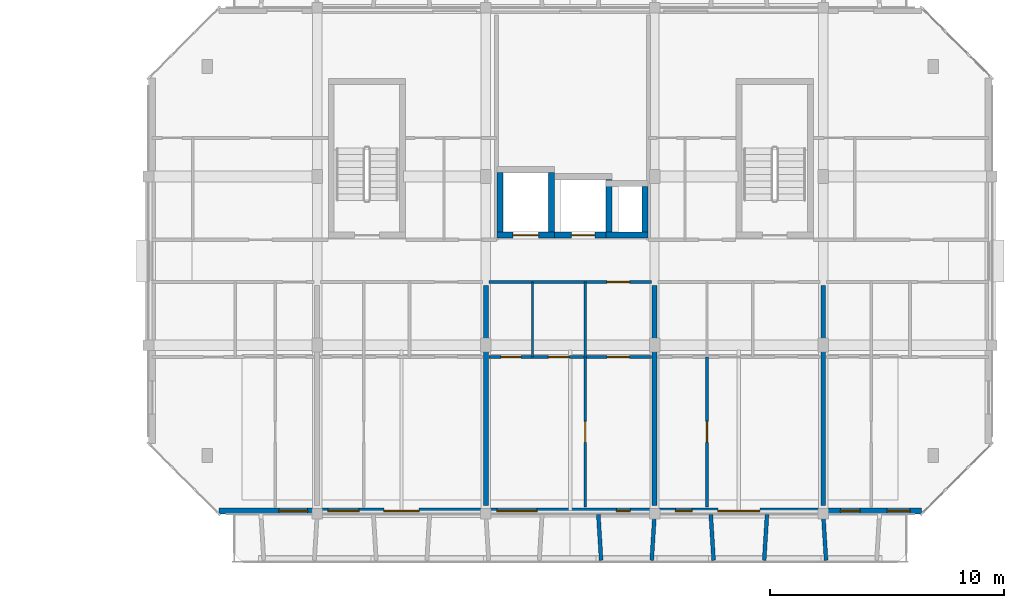
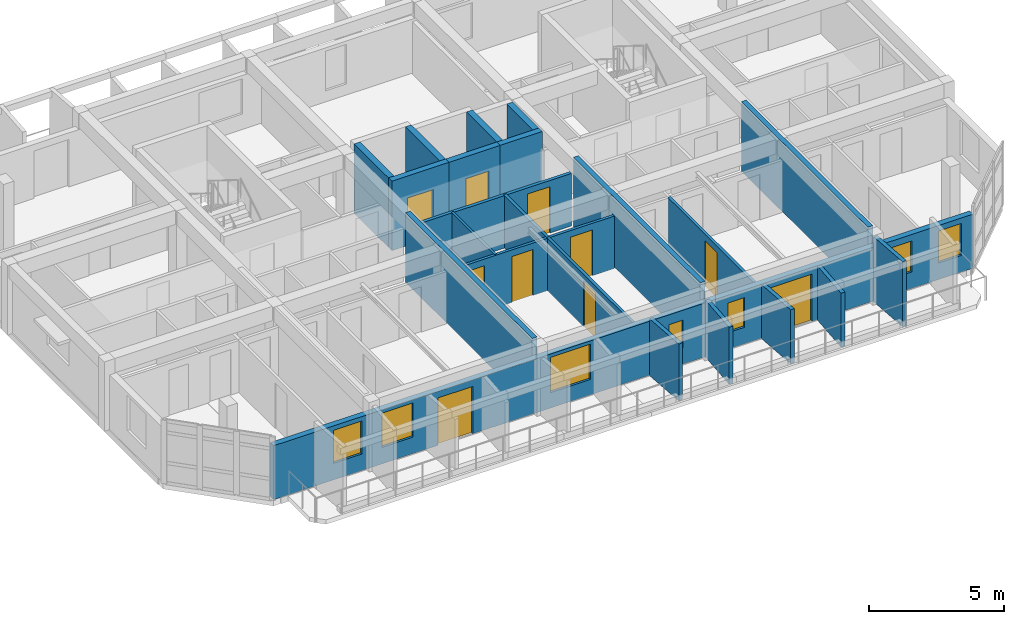
# One storey, part 16 of 30: 22 walls, 10 doors, 7 windows, 17 openings.
"""IFC4 building model written with IfcOpenShell, lengths in metres."""

from ifc_helpers import new_model, si_unit, direction, frame, frame_2d, origin, place, context, subcontext, project, spatial, rectangle, extrude, material, layer, layer_set, type_object, element, fill, save


model = new_model("IFC4")

# Units and contexts
model_context = context("Model", 3, precision=1e-05, world=origin(), true_north=direction((0.0, 1.0)))
body_context = subcontext(model_context, "Body", "Model", "MODEL_VIEW")
ifc_project = project(units=[si_unit("LENGTHUNIT", "METRE"), si_unit("AREAUNIT", "SQUARE_METRE"), si_unit("VOLUMEUNIT", "CUBIC_METRE"), si_unit("PLANEANGLEUNIT", "RADIAN"), si_unit("MASSUNIT", "GRAM", prefix="KILO")], contexts=[model_context])

# Site, building, storey
site_placement = place(None, origin())
site = spatial("IfcSite", under=ifc_project, at=site_placement, CompositionType="ELEMENT")
building_placement = place(site_placement, origin())
building = spatial("IfcBuilding", under=site, at=building_placement, Name="Ochrevale Crest", CompositionType="ELEMENT")
storey_placement = place(building_placement, frame((0.0, 0.0, 33.89990234375)))
storey = spatial("IfcBuildingStorey", under=building, at=storey_placement, Name="L10", CompositionType="ELEMENT", Elevation=33.89990234375)

# Wall, opening, door
ifc_material_1 = material(Name="Gypsum plasterboard", Category="gypsum")
ifc_layer_1 = layer(ifc_material_1, 0.139892578125)
ifc_layer_set_1 = layer_set([ifc_layer_1], Name="Gypsum plasterboard")
wall_type_1 = type_object("IfcWallType", Name="WL-COR-140", PredefinedType="PARTITIONING", material=ifc_layer_set_1)
wall_1_placement = place(storey_placement, frame((144.139892578125, 24.300048828125, 0.0), z_axis=(0.0, 0.0, 1.0), x_axis=(1.0, 0.0, 0.0)))
wall_1 = element("IfcWall", 1, at=wall_1_placement, inside=storey, type_object=wall_type_1, Name="Apartment C-L10-U3 corridor wall", PredefinedType="PARTITIONING", context=body_context, shape_type="SweptSolid", body=[
    extrude(rectangle(XDim=6.920166015625, YDim=0.139892578125, at=frame_2d((3.4599609375, 0.0))), origin(), (0.0, 0.0, 1.0), 2.380126953125),
])
opening_1_placement = place(wall_1_placement, frame((5.02001953125, 0.0, 0.0)))
opening_1 = element("IfcOpeningElement", 2, at=opening_1_placement, cuts=wall_1, Name="Opening FD01", PredefinedType="OPENING", context=body_context, shape_type="SweptSolid", body=[
    extrude(rectangle(XDim=0.97998046875, YDim=2.10009765625, at=frame_2d((0.489990234375, 1.050048828125))), frame((0.0, 0.080078125, 0.0), z_axis=(0.0, -1.0, 0.0), x_axis=(1.0, 0.0, 0.0)), (0.0, 0.0, 1.0), 0.159912109375),
])
ifc_material_2 = material(Name="Solid-core FSC hardwood", Category="wood")
door_type_1 = type_object("IfcDoorType", Name="DR-APT-950", OperationType="NOTDEFINED", PredefinedType="DOOR", material=ifc_material_2)
door_1_placement = place(opening_1_placement, origin())
door_1 = element("IfcDoor", 3, at=door_1_placement, inside=storey, type_object=door_type_1, Name="Apartment C-L10-U3 entrance door", OperationType="SINGLE_SWING_LEFT", OverallHeight=2.10009765625, OverallWidth=0.97998046875, PredefinedType="DOOR", context=body_context, shape_type="SweptSolid", body=[
    extrude(rectangle(XDim=0.97998046875, YDim=2.10009765625, at=frame_2d((0.489990234375, 1.050048828125))), frame((0.0, 0.02490234375, 0.0), z_axis=(0.0, -1.0, 0.0), x_axis=(1.0, 0.0, 0.0)), (0.0, 0.0, 1.0), 0.050048828125),
])
fill(opening_1, door_1)

ifc_material_3 = material(Name="Precast concrete C50/60", Category="concrete")
ifc_layer_2 = layer(ifc_material_3, 0.2548828125)
ifc_layer_set_2 = layer_set([ifc_layer_2], Name="Precast concrete C50/60")
wall_type_2 = type_object("IfcWallType", Name="WL-CORE-255", PredefinedType="SHEAR", material=ifc_layer_set_2)
wall_2_placement = place(storey_placement, frame((144.472412109375, 26.300048828125, 0.0), z_axis=(0.0, 0.0, 1.0), x_axis=(1.0, 0.0, 0.0)))
wall_2 = element("IfcWall", 4, at=wall_2_placement, inside=storey, type_object=wall_type_2, Name="Block C L10 Lift 1 precast shaft shear wall S", PredefinedType="SHEAR", context=body_context, shape_type="SweptSolid", body=[
    extrude(rectangle(XDim=2.455078125, YDim=0.2548828125, at=frame_2d((1.2275390625, 0.0))), origin(), (0.0, 0.0, 1.0), 3.150146484375),
])
opening_2_placement = place(wall_2_placement, frame((0.677490234375, 0.0, 0.0)))
opening_2 = element("IfcOpeningElement", 5, at=opening_2_placement, cuts=wall_2, Name="Opening LD01", PredefinedType="OPENING", context=body_context, shape_type="SweptSolid", body=[
    extrude(rectangle(XDim=1.10009765625, YDim=2.14990234375, at=frame_2d((0.550048828125, 1.074951171875))), frame((0.0, 0.137451171875, 0.0), z_axis=(0.0, -1.0, 0.0), x_axis=(1.0, 0.0, 0.0)), (0.0, 0.0, 1.0), 0.27490234375),
])
door_type_2 = type_object("IfcDoorType", Name="DR-LIFT-1100", OperationType="NOTDEFINED", PredefinedType="DOOR", material=ifc_material_2)
door_2_placement = place(opening_2_placement, origin())
door_2 = element("IfcDoor", 6, at=door_2_placement, inside=storey, type_object=door_type_2, Name="Lift LF-C1 L10 sliding landing door", OperationType="SLIDING_TO_LEFT", OverallHeight=2.14990234375, OverallWidth=1.10009765625, PredefinedType="DOOR", context=body_context, shape_type="SweptSolid", body=[
    extrude(rectangle(XDim=1.10009765625, YDim=2.14990234375, at=frame_2d((0.550048828125, 1.074951171875))), frame((0.0, 0.02490234375, 0.0), z_axis=(0.0, -1.0, 0.0), x_axis=(1.0, 0.0, 0.0)), (0.0, 0.0, 1.0), 0.050048828125),
])
fill(opening_2, door_2)

# Walls
for number, where, z_axis, x_axis, name in (
    (7, (144.60009765625, 26.427490234375, 0.0), (0.0, 0.0, 1.0), (0.0, 1.0, 0.0), "Block C L10 Lift 1 precast shaft shear wall W"),
    (8, (146.800048828125, 26.427490234375, 0.0), (0.0, 0.0, 1.0), (0.0, 1.0, 0.0), "Block C L10 Lift 1 precast shaft shear wall E"),
):
    element("IfcWall", number, at=place(storey_placement, frame(where, z_axis=z_axis, x_axis=x_axis)), inside=storey, type_object=wall_type_2, Name=name, PredefinedType="SHEAR", context=body_context, shape_type="SweptSolid", body=[
        extrude(rectangle(XDim=2.544921875, YDim=0.2548828125, at=frame_2d((1.2724609375, 0.0))), origin(), (0.0, 0.0, 1.0), 3.150146484375),
    ])

# Wall, opening, door
wall_3_placement = place(storey_placement, frame((146.922607421875, 26.300048828125, 0.0), z_axis=(0.0, 0.0, 1.0), x_axis=(1.0, 0.0, 0.0)))
wall_3 = element("IfcWall", 9, at=wall_3_placement, inside=storey, type_object=wall_type_2, Name="Block C L10 Lift 2 precast shaft shear wall S", PredefinedType="SHEAR", context=body_context, shape_type="SweptSolid", body=[
    extrude(rectangle(XDim=2.454833984375, YDim=0.2548828125, at=frame_2d((1.2275390625, 0.0))), origin(), (0.0, 0.0, 1.0), 3.150146484375),
])
opening_3_placement = place(wall_3_placement, frame((0.7275390625, 0.0, 0.0)))
opening_3 = element("IfcOpeningElement", 10, at=opening_3_placement, cuts=wall_3, Name="Opening LD02", PredefinedType="OPENING", context=body_context, shape_type="SweptSolid", body=[
    extrude(rectangle(XDim=1.0, YDim=2.14990234375, at=frame_2d((0.5, 1.074951171875))), frame((0.0, 0.137451171875, 0.0), z_axis=(0.0, -1.0, 0.0), x_axis=(1.0, 0.0, 0.0)), (0.0, 0.0, 1.0), 0.27490234375),
])
door_type_3 = type_object("IfcDoorType", Name="DR-LIFT-1000", OperationType="NOTDEFINED", PredefinedType="DOOR", material=ifc_material_2)
door_3_placement = place(opening_3_placement, origin())
door_3 = element("IfcDoor", 11, at=door_3_placement, inside=storey, type_object=door_type_3, Name="Lift LP-C2 L10 sliding landing door", OperationType="SLIDING_TO_RIGHT", OverallHeight=2.14990234375, OverallWidth=1.0, PredefinedType="DOOR", context=body_context, shape_type="SweptSolid", body=[
    extrude(rectangle(XDim=1.0, YDim=2.14990234375, at=frame_2d((0.5, 1.074951171875))), frame((0.0, 0.02490234375, 0.0), z_axis=(0.0, -1.0, 0.0), x_axis=(1.0, 0.0, 0.0)), (0.0, 0.0, 1.0), 0.050048828125),
])
fill(opening_3, door_3)

# Walls
wall_4_placement = place(storey_placement, frame((149.25, 26.427490234375, 0.0), z_axis=(0.0, 0.0, 1.0), x_axis=(0.0, 1.0, 0.0)))
element("IfcWall", 12, at=wall_4_placement, inside=storey, type_object=wall_type_2, Name="Block C L10 Lift 2 precast shaft shear wall E", PredefinedType="SHEAR", context=body_context, shape_type="SweptSolid", body=[
    extrude(rectangle(XDim=2.2451171875, YDim=0.2548828125, at=frame_2d((1.12255859375, 0.0))), origin(), (0.0, 0.0, 1.0), 3.150146484375),
])
wall_5_placement = place(storey_placement, frame((149.12255859375, 26.300048828125, 0.0), z_axis=(0.0, 0.0, 1.0), x_axis=(1.0, 0.0, 0.0)))
element("IfcWall", 13, at=wall_5_placement, inside=storey, type_object=wall_type_2, Name="Block C L10 services riser shaft core wall S", PredefinedType="SHEAR", context=body_context, shape_type="SweptSolid", body=[
    extrude(rectangle(XDim=1.804931640625, YDim=0.2548828125, at=frame_2d((0.90234375, 0.0))), origin(), (0.0, 0.0, 1.0), 3.150146484375),
])
wall_6_placement = place(storey_placement, frame((150.800048828125, 26.427490234375, 0.0), z_axis=(0.0, 0.0, 1.0), x_axis=(0.0, 1.0, 0.0)))
element("IfcWall", 14, at=wall_6_placement, inside=storey, type_object=wall_type_2, Name="Block C L10 services riser shaft core wall E", PredefinedType="SHEAR", context=body_context, shape_type="SweptSolid", body=[
    extrude(rectangle(XDim=1.945068359375, YDim=0.2548828125, at=frame_2d((0.97265625, 0.0))), origin(), (0.0, 0.0, 1.0), 3.150146484375),
])

# Wall, openings, doors, windows
ifc_material_4 = material(Name="Precast concrete C40/50", Category="concrete")
ifc_layer_3 = layer(ifc_material_4, 0.25)
ifc_layer_set_3 = layer_set([ifc_layer_3], Name="Precast concrete C40/50")
wall_type_3 = type_object("IfcWallType", Name="WL-EXT-GOLD-250", PredefinedType="SOLIDWALL", material=ifc_layer_set_3)
wall_7_placement = place(storey_placement, frame((132.60009765625, 14.52490234375, 0.0), z_axis=(0.0, 0.0, 1.0), x_axis=(1.0, 0.0, 0.0)))
wall_7 = element("IfcWall", 15, at=wall_7_placement, inside=storey, type_object=wall_type_3, Name="Block C L10 external facade wall E1", PredefinedType="SOLIDWALL", context=body_context, shape_type="SweptSolid", body=[
    extrude(rectangle(XDim=30.0, YDim=0.25, at=frame_2d((15.0, 0.0))), origin(), (0.0, 0.0, 1.0), 2.4501953125),
])
opening_4_placement = place(wall_7_placement, frame((8.550048828125, 0.0, 0.0), z_axis=(0.0, 0.0, 1.0), x_axis=(-1.0, 0.0, 0.0)))
opening_4 = element("IfcOpeningElement", 16, at=opening_4_placement, cuts=wall_7, Name="Opening BD01", PredefinedType="OPENING", context=body_context, shape_type="SweptSolid", body=[
    extrude(rectangle(XDim=1.5, YDim=2.14990234375, at=frame_2d((0.75, 1.074951171875))), frame((0.0, 0.135009765625, 0.0), z_axis=(0.0, -1.0, 0.0), x_axis=(1.0, 0.0, 0.0)), (0.0, 0.0, 1.0), 0.27001953125),
])
opening_5_placement = place(wall_7_placement, frame((23.10009765625, 0.0, 0.0), z_axis=(0.0, 0.0, 1.0), x_axis=(-1.0, 0.0, 0.0)))
opening_5 = element("IfcOpeningElement", 17, at=opening_5_placement, cuts=wall_7, Name="Opening BD03", PredefinedType="OPENING", context=body_context, shape_type="SweptSolid", body=[
    extrude(rectangle(XDim=1.800048828125, YDim=2.14990234375, at=frame_2d((0.89990234375, 1.074951171875))), frame((0.0, 0.135009765625, 0.0), z_axis=(0.0, -1.0, 0.0), x_axis=(1.0, 0.0, 0.0)), (0.0, 0.0, 1.0), 0.27001953125),
])
opening_6_placement = place(wall_7_placement, frame((2.5673828125, 0.0, 0.75)))
opening_6 = element("IfcOpeningElement", 18, at=opening_6_placement, cuts=wall_7, Name="Opening W06", PredefinedType="OPENING", context=body_context, shape_type="SweptSolid", body=[
    extrude(rectangle(XDim=1.219970703125, YDim=1.5, at=frame_2d((0.60986328125, 0.75))), frame((0.0, 0.135009765625, 0.0), z_axis=(0.0, -1.0, 0.0), x_axis=(1.0, 0.0, 0.0)), (0.0, 0.0, 1.0), 0.27001953125),
])
opening_7_placement = place(wall_7_placement, frame((4.652587890625, 0.0, 0.75)))
opening_7 = element("IfcOpeningElement", 19, at=opening_7_placement, cuts=wall_7, Name="Opening W07", PredefinedType="OPENING", context=body_context, shape_type="SweptSolid", body=[
    extrude(rectangle(XDim=1.340087890625, YDim=1.550048828125, at=frame_2d((0.669921875, 0.77490234375))), frame((0.0, 0.135009765625, 0.0), z_axis=(0.0, -1.0, 0.0), x_axis=(1.0, 0.0, 0.0)), (0.0, 0.0, 1.0), 0.27001953125),
])
opening_8_placement = place(wall_7_placement, frame((11.87255859375, 0.0, 0.699951171875)))
opening_8 = element("IfcOpeningElement", 20, at=opening_8_placement, cuts=wall_7, Name="Opening W10", PredefinedType="OPENING", context=body_context, shape_type="SweptSolid", body=[
    extrude(rectangle(XDim=1.719970703125, YDim=1.60009765625, at=frame_2d((0.85986328125, 0.800048828125))), frame((0.0, 0.135009765625, 0.0), z_axis=(0.0, -1.0, 0.0), x_axis=(1.0, 0.0, 0.0)), (0.0, 0.0, 1.0), 0.27001953125),
])
opening_9_placement = place(wall_7_placement, frame((16.967529296875, 0.0, 0.75)))
opening_9 = element("IfcOpeningElement", 21, at=opening_9_placement, cuts=wall_7, Name="Opening W01", PredefinedType="OPENING", context=body_context, shape_type="SweptSolid", body=[
    extrude(rectangle(XDim=0.60009765625, YDim=1.25, at=frame_2d((0.300048828125, 0.625))), frame((0.0, 0.135009765625, 0.0), z_axis=(0.0, -1.0, 0.0), x_axis=(1.0, 0.0, 0.0)), (0.0, 0.0, 1.0), 0.27001953125),
])
opening_10_placement = place(wall_7_placement, frame((19.487548828125, 0.0, 0.75)))
opening_10 = element("IfcOpeningElement", 22, at=opening_10_placement, cuts=wall_7, Name="Opening W02", PredefinedType="OPENING", context=body_context, shape_type="SweptSolid", body=[
    extrude(rectangle(XDim=0.719970703125, YDim=1.35009765625, at=frame_2d((0.35986328125, 0.675048828125))), frame((0.0, 0.135009765625, 0.0), z_axis=(0.0, -1.0, 0.0), x_axis=(1.0, 0.0, 0.0)), (0.0, 0.0, 1.0), 0.27001953125),
])
opening_11_placement = place(wall_7_placement, frame((26.527587890625, 0.0, 0.75)))
opening_11 = element("IfcOpeningElement", 23, at=opening_11_placement, cuts=wall_7, Name="Opening W03", PredefinedType="OPENING", context=body_context, shape_type="SweptSolid", body=[
    extrude(rectangle(XDim=0.85009765625, YDim=1.39990234375, at=frame_2d((0.425048828125, 0.699951171875))), frame((0.0, 0.135009765625, 0.0), z_axis=(0.0, -1.0, 0.0), x_axis=(1.0, 0.0, 0.0)), (0.0, 0.0, 1.0), 0.27001953125),
])
opening_12_placement = place(wall_7_placement, frame((28.52490234375, 0.0, 0.75)))
opening_12 = element("IfcOpeningElement", 24, at=opening_12_placement, cuts=wall_7, Name="Opening W04", PredefinedType="OPENING", context=body_context, shape_type="SweptSolid", body=[
    extrude(rectangle(XDim=0.97998046875, YDim=1.449951171875, at=frame_2d((0.489990234375, 0.72509765625))), frame((0.0, 0.135009765625, 0.0), z_axis=(0.0, -1.0, 0.0), x_axis=(1.0, 0.0, 0.0)), (0.0, 0.0, 1.0), 0.27001953125),
])
ifc_material_5 = material(Name="Anodised aluminium 6063-T5 and toughened glass", Category="aluminium")
door_type_4 = type_object("IfcDoorType", Name="DR-BAL-1500", OperationType="NOTDEFINED", PredefinedType="DOOR", material=ifc_material_5)
door_4_placement = place(opening_4_placement, origin())
door_4 = element("IfcDoor", 25, at=door_4_placement, inside=storey, type_object=door_type_4, Name="Block C L10 balcony door S2", OperationType="SINGLE_SWING_RIGHT", OverallHeight=2.14990234375, OverallWidth=1.5, PredefinedType="DOOR", context=body_context, shape_type="SweptSolid", body=[
    extrude(rectangle(XDim=1.5, YDim=2.14990234375, at=frame_2d((0.75, 1.074951171875))), frame((0.0, 0.02490234375, 0.0), z_axis=(0.0, -1.0, 0.0), x_axis=(1.0, 0.0, 0.0)), (0.0, 0.0, 1.0), 0.050048828125),
])
fill(opening_4, door_4)
door_type_5 = type_object("IfcDoorType", Name="DR-BAL-1800", OperationType="NOTDEFINED", PredefinedType="DOOR", material=ifc_material_5)
door_5_placement = place(opening_5_placement, origin())
door_5 = element("IfcDoor", 26, at=door_5_placement, inside=storey, type_object=door_type_5, Name="Block C L10 balcony door S4", OperationType="SINGLE_SWING_LEFT", OverallHeight=2.14990234375, OverallWidth=1.800048828125, PredefinedType="DOOR", context=body_context, shape_type="SweptSolid", body=[
    extrude(rectangle(XDim=1.800048828125, YDim=2.14990234375, at=frame_2d((0.89990234375, 1.074951171875))), frame((0.0, 0.02490234375, 0.0), z_axis=(0.0, -1.0, 0.0), x_axis=(1.0, 0.0, 0.0)), (0.0, 0.0, 1.0), 0.050048828125),
])
fill(opening_5, door_5)
ifc_material_6 = material(Name="Anodised aluminium 6063-T5 and low-E double glazing", Category="aluminium")
window_type_1 = type_object("IfcWindowType", Name="WIN-W01", PartitioningType="SINGLE_PANEL", PredefinedType="WINDOW", material=ifc_material_6)
window_1_placement = place(opening_9_placement, origin())
window_1 = element("IfcWindow", 27, at=window_1_placement, inside=storey, type_object=window_type_1, Name="Block C L10 Apartment C-L10-U3 One Bedroom Living Room window", OverallHeight=1.25, OverallWidth=0.60009765625, PartitioningType="SINGLE_PANEL", PredefinedType="WINDOW", context=body_context, shape_type="SweptSolid", body=[
    extrude(rectangle(XDim=0.60009765625, YDim=1.25, at=frame_2d((0.300048828125, 0.625))), frame((0.0, 0.030029296875, 0.0), z_axis=(0.0, -1.0, 0.0), x_axis=(1.0, 0.0, 0.0)), (0.0, 0.0, 1.0), 0.06005859375),
])
fill(opening_9, window_1)
window_type_2 = type_object("IfcWindowType", Name="WIN-W02", PartitioningType="SINGLE_PANEL", PredefinedType="WINDOW", material=ifc_material_6)
window_2_placement = place(opening_10_placement, origin())
window_2 = element("IfcWindow", 28, at=window_2_placement, inside=storey, type_object=window_type_2, Name="Block C L10 Apartment C-L10-U4 Master Bedroom window", OverallHeight=1.35009765625, OverallWidth=0.719970703125, PartitioningType="SINGLE_PANEL", PredefinedType="WINDOW", context=body_context, shape_type="SweptSolid", body=[
    extrude(rectangle(XDim=0.719970703125, YDim=1.35009765625, at=frame_2d((0.35986328125, 0.675048828125))), frame((0.0, 0.030029296875, 0.0), z_axis=(0.0, -1.0, 0.0), x_axis=(1.0, 0.0, 0.0)), (0.0, 0.0, 1.0), 0.06005859375),
])
fill(opening_10, window_2)
window_type_3 = type_object("IfcWindowType", Name="WIN-W03", PartitioningType="SINGLE_PANEL", PredefinedType="WINDOW", material=ifc_material_6)
window_3_placement = place(opening_11_placement, origin())
window_3 = element("IfcWindow", 29, at=window_3_placement, inside=storey, type_object=window_type_3, Name="Block C L10 Apartment C-L10-U5 Twin Bedroom window", OverallHeight=1.39990234375, OverallWidth=0.85009765625, PartitioningType="SINGLE_PANEL", PredefinedType="WINDOW", context=body_context, shape_type="SweptSolid", body=[
    extrude(rectangle(XDim=0.85009765625, YDim=1.39990234375, at=frame_2d((0.425048828125, 0.699951171875))), frame((0.0, 0.030029296875, 0.0), z_axis=(0.0, -1.0, 0.0), x_axis=(1.0, 0.0, 0.0)), (0.0, 0.0, 1.0), 0.06005859375),
])
fill(opening_11, window_3)
window_type_4 = type_object("IfcWindowType", Name="WIN-W04", PartitioningType="SINGLE_PANEL", PredefinedType="WINDOW", material=ifc_material_6)
window_4_placement = place(opening_12_placement, origin())
window_4 = element("IfcWindow", 30, at=window_4_placement, inside=storey, type_object=window_type_4, Name="Block C L10 Apartment C-L10-U5 Three Bedroom Family Living window", OverallHeight=1.449951171875, OverallWidth=0.97998046875, PartitioningType="SINGLE_PANEL", PredefinedType="WINDOW", context=body_context, shape_type="SweptSolid", body=[
    extrude(rectangle(XDim=0.97998046875, YDim=1.449951171875, at=frame_2d((0.489990234375, 0.72509765625))), frame((0.0, 0.030029296875, 0.0), z_axis=(0.0, -1.0, 0.0), x_axis=(1.0, 0.0, 0.0)), (0.0, 0.0, 1.0), 0.06005859375),
])
fill(opening_12, window_4)
window_type_5 = type_object("IfcWindowType", Name="WIN-W06", PartitioningType="SINGLE_PANEL", PredefinedType="WINDOW", material=ifc_material_6)
window_5_placement = place(opening_6_placement, origin())
window_5 = element("IfcWindow", 31, at=window_5_placement, inside=storey, type_object=window_type_5, Name="Block C L10 Apartment C-L10-U1 Three Bedroom Family Living window", OverallHeight=1.5, OverallWidth=1.219970703125, PartitioningType="SINGLE_PANEL", PredefinedType="WINDOW", context=body_context, shape_type="SweptSolid", body=[
    extrude(rectangle(XDim=1.219970703125, YDim=1.5, at=frame_2d((0.60986328125, 0.75))), frame((0.0, 0.030029296875, 0.0), z_axis=(0.0, -1.0, 0.0), x_axis=(1.0, 0.0, 0.0)), (0.0, 0.0, 1.0), 0.06005859375),
])
fill(opening_6, window_5)
window_type_6 = type_object("IfcWindowType", Name="WIN-W07", PartitioningType="SINGLE_PANEL", PredefinedType="WINDOW", material=ifc_material_6)
window_6_placement = place(opening_7_placement, origin())
window_6 = element("IfcWindow", 32, at=window_6_placement, inside=storey, type_object=window_type_6, Name="Block C L10 Apartment C-L10-U2 Double Bedroom window", OverallHeight=1.550048828125, OverallWidth=1.340087890625, PartitioningType="SINGLE_PANEL", PredefinedType="WINDOW", context=body_context, shape_type="SweptSolid", body=[
    extrude(rectangle(XDim=1.340087890625, YDim=1.550048828125, at=frame_2d((0.669921875, 0.77490234375))), frame((0.0, 0.030029296875, 0.0), z_axis=(0.0, -1.0, 0.0), x_axis=(1.0, 0.0, 0.0)), (0.0, 0.0, 1.0), 0.06005859375),
])
fill(opening_7, window_6)
window_type_7 = type_object("IfcWindowType", Name="WIN-W10", PartitioningType="SINGLE_PANEL", PredefinedType="WINDOW", material=ifc_material_6)
window_7_placement = place(opening_8_placement, origin())
window_7 = element("IfcWindow", 33, at=window_7_placement, inside=storey, type_object=window_type_7, Name="Block C L10 Apartment C-L10-U3 Master Bedroom window", OverallHeight=1.60009765625, OverallWidth=1.719970703125, PartitioningType="SINGLE_PANEL", PredefinedType="WINDOW", context=body_context, shape_type="SweptSolid", body=[
    extrude(rectangle(XDim=1.719970703125, YDim=1.60009765625, at=frame_2d((0.85986328125, 0.800048828125))), frame((0.0, 0.030029296875, 0.0), z_axis=(0.0, -1.0, 0.0), x_axis=(1.0, 0.0, 0.0)), (0.0, 0.0, 1.0), 0.06005859375),
])
fill(opening_8, window_7)

# Walls
ifc_layer_4 = layer(ifc_material_4, 0.1650390625)
ifc_layer_set_4 = layer_set([ifc_layer_4], Name="Precast concrete C40/50")
wall_type_4 = type_object("IfcWallType", Name="WL-HC-CHEEK-165", PredefinedType="ELEMENTEDWALL", material=ifc_layer_set_4)
for number, where, z_axis, x_axis, name in (
    (34, (148.800048828125, 14.3798828125, 0.0), (0.0, 0.0, 1.0), (0.061046865508, -0.998134900808, 0.0), "Block C L10 S precast honeycomb cheek 7"),
    (35, (151.199951171875, 14.3798828125, 0.0), (0.0, 0.0, 1.0), (-0.061046865508, -0.998134900808, 0.0), "Block C L10 S precast honeycomb cheek 8"),
):
    element("IfcWall", number, at=place(storey_placement, frame(where, z_axis=z_axis, x_axis=x_axis)), inside=storey, type_object=wall_type_4, Name=name, PredefinedType="ELEMENTEDWALL", context=body_context, shape_type="SweptSolid", body=[
        extrude(rectangle(XDim=1.963623046875, YDim=0.1650390625, at=frame_2d((0.98193359375, 0.0))), origin(), (0.0, 0.0, 1.0), 2.580078125),
    ])
for number, where, z_axis, x_axis, name in (
    (36, (153.60009765625, 14.3798828125, 0.0), (0.0, 0.0, 1.0), (0.061046865508, -0.998134900808, 0.0), "Block C L10 S precast honeycomb cheek 9"),
    (37, (156.0, 14.3798828125, 0.0), (0.0, 0.0, 1.0), (-0.061170732449, -0.998127317276, 0.0), "Block C L10 S precast honeycomb cheek 10"),
):
    element("IfcWall", number, at=place(storey_placement, frame(where, z_axis=z_axis, x_axis=x_axis)), inside=storey, type_object=wall_type_4, Name=name, PredefinedType="ELEMENTEDWALL", context=body_context, shape_type="SweptSolid", body=[
        extrude(rectangle(XDim=1.963623046875, YDim=0.1650390625, at=frame_2d((0.98193359375, 0.0))), origin(), (0.0, 0.0, 1.0), 2.4501953125),
    ])
wall_8_placement = place(storey_placement, frame((158.39990234375, 14.3798828125, 0.0), z_axis=(0.0, 0.0, 1.0), x_axis=(0.061170732449, -0.998127317276, 0.0)))
element("IfcWall", 38, at=wall_8_placement, inside=storey, type_object=wall_type_4, Name="Block C L10 S precast honeycomb cheek 11", PredefinedType="ELEMENTEDWALL", context=body_context, shape_type="SweptSolid", body=[
    extrude(rectangle(XDim=1.963623046875, YDim=0.1650390625, at=frame_2d((0.98193359375, 0.0))), origin(), (0.0, 0.0, 1.0), 2.9501953125),
])
ifc_layer_5 = layer(ifc_material_1, 0.1201171875)
ifc_layer_set_5 = layer_set([ifc_layer_5], Name="Gypsum plasterboard")
wall_type_5 = type_object("IfcWallType", Name="WL-PART-120", PredefinedType="PARTITIONING", material=ifc_layer_set_5)
wall_9_placement = place(storey_placement, frame((148.239990234375, 21.10009765625, 0.0), z_axis=(0.0, 0.0, 1.0), x_axis=(0.0, 1.0, 0.0)))
element("IfcWall", 39, at=wall_9_placement, inside=storey, type_object=wall_type_5, Name="Apartment C-L10-U3 kitchen-foyer wall", PredefinedType="PARTITIONING", context=body_context, shape_type="SweptSolid", body=[
    extrude(rectangle(XDim=3.199951171875, YDim=0.1201171875, at=frame_2d((1.60009765625, 0.0))), origin(), (0.0, 0.0, 1.0), 2.380126953125),
])

# Wall, openings, doors
wall_10_placement = place(storey_placement, frame((144.139892578125, 21.10009765625, 0.0), z_axis=(0.0, 0.0, 1.0), x_axis=(1.0, 0.0, 0.0)))
wall_10 = element("IfcWall", 40, at=wall_10_placement, inside=storey, type_object=wall_type_5, Name="Apartment C-L10-U3 central partition", PredefinedType="PARTITIONING", context=body_context, shape_type="SweptSolid", body=[
    extrude(rectangle(XDim=6.920166015625, YDim=0.1201171875, at=frame_2d((3.4599609375, 0.0))), origin(), (0.0, 0.0, 1.0), 2.380126953125),
])
opening_13_placement = place(wall_10_placement, frame((1.35009765625, 0.0, 0.0), z_axis=(0.0, 0.0, 1.0), x_axis=(-1.0, 0.0, 0.0)))
opening_13 = element("IfcOpeningElement", 41, at=opening_13_placement, cuts=wall_10, Name="Opening ID01", PredefinedType="OPENING", context=body_context, shape_type="SweptSolid", body=[
    extrude(rectangle(XDim=0.85009765625, YDim=2.080078125, at=frame_2d((0.425048828125, 1.0400390625))), frame((0.0, 0.070068359375, 0.0), z_axis=(0.0, -1.0, 0.0), x_axis=(1.0, 0.0, 0.0)), (0.0, 0.0, 1.0), 0.14013671875),
])
opening_14_placement = place(wall_10_placement, frame((2.52490234375, 0.0, 0.0)))
opening_14 = element("IfcOpeningElement", 42, at=opening_14_placement, cuts=wall_10, Name="Opening ID02", PredefinedType="OPENING", context=body_context, shape_type="SweptSolid", body=[
    extrude(rectangle(XDim=0.89990234375, YDim=2.080078125, at=frame_2d((0.449951171875, 1.0400390625))), frame((0.0, 0.070068359375, 0.0), z_axis=(0.0, -1.0, 0.0), x_axis=(1.0, 0.0, 0.0)), (0.0, 0.0, 1.0), 0.14013671875),
])
opening_15_placement = place(wall_10_placement, frame((5.98486328125, 0.0, 0.0), z_axis=(0.0, 0.0, 1.0), x_axis=(-1.0, 0.0, 0.0)))
opening_15 = element("IfcOpeningElement", 43, at=opening_15_placement, cuts=wall_10, Name="Opening ID06", PredefinedType="OPENING", context=body_context, shape_type="SweptSolid", body=[
    extrude(rectangle(XDim=0.949951171875, YDim=2.080078125, at=frame_2d((0.47509765625, 1.0400390625))), frame((0.0, 0.070068359375, 0.0), z_axis=(0.0, -1.0, 0.0), x_axis=(1.0, 0.0, 0.0)), (0.0, 0.0, 1.0), 0.14013671875),
])
door_type_6 = type_object("IfcDoorType", Name="DR-INT-900", OperationType="NOTDEFINED", PredefinedType="DOOR", material=ifc_material_2)
door_6_placement = place(opening_14_placement, origin())
door_6 = element("IfcDoor", 44, at=door_6_placement, inside=storey, type_object=door_type_6, Name="Apartment C-L10-U3 Kitchen door", OperationType="SINGLE_SWING_LEFT", OverallHeight=2.080078125, OverallWidth=0.89990234375, PredefinedType="DOOR", context=body_context, shape_type="SweptSolid", body=[
    extrude(rectangle(XDim=0.89990234375, YDim=2.080078125, at=frame_2d((0.449951171875, 1.0400390625))), frame((0.0, 0.02490234375, 0.0), z_axis=(0.0, -1.0, 0.0), x_axis=(1.0, 0.0, 0.0)), (0.0, 0.0, 1.0), 0.050048828125),
])
fill(opening_14, door_6)
door_type_7 = type_object("IfcDoorType", Name="DR-INT-950", OperationType="NOTDEFINED", PredefinedType="DOOR", material=ifc_material_2)
door_7_placement = place(opening_15_placement, origin())
door_7 = element("IfcDoor", 45, at=door_7_placement, inside=storey, type_object=door_type_7, Name="Apartment C-L10-U3 Living Foyer door", OperationType="SINGLE_SWING_RIGHT", OverallHeight=2.080078125, OverallWidth=0.949951171875, PredefinedType="DOOR", context=body_context, shape_type="SweptSolid", body=[
    extrude(rectangle(XDim=0.949951171875, YDim=2.080078125, at=frame_2d((0.47509765625, 1.0400390625))), frame((0.0, 0.02490234375, 0.0), z_axis=(0.0, -1.0, 0.0), x_axis=(1.0, 0.0, 0.0)), (0.0, 0.0, 1.0), 0.050048828125),
])
fill(opening_15, door_7)
door_type_8 = type_object("IfcDoorType", Name="DR-WC-850", OperationType="NOTDEFINED", PredefinedType="DOOR", material=ifc_material_2)
door_8_placement = place(opening_13_placement, origin())
door_8 = element("IfcDoor", 46, at=door_8_placement, inside=storey, type_object=door_type_8, Name="Apartment C-L10-U3 Bathroom door", OperationType="SINGLE_SWING_RIGHT", OverallHeight=2.080078125, OverallWidth=0.85009765625, PredefinedType="DOOR", context=body_context, shape_type="SweptSolid", body=[
    extrude(rectangle(XDim=0.85009765625, YDim=2.080078125, at=frame_2d((0.425048828125, 1.0400390625))), frame((0.0, 0.02490234375, 0.0), z_axis=(0.0, -1.0, 0.0), x_axis=(1.0, 0.0, 0.0)), (0.0, 0.0, 1.0), 0.050048828125),
])
fill(opening_13, door_8)

# Wall, opening, door
wall_11_placement = place(storey_placement, frame((148.239990234375, 14.699951171875, 0.0), z_axis=(0.0, 0.0, 1.0), x_axis=(0.0, 1.0, 0.0)))
wall_11 = element("IfcWall", 47, at=wall_11_placement, inside=storey, type_object=wall_type_5, Name="Apartment C-L10-U3 bedroom partition", PredefinedType="PARTITIONING", context=body_context, shape_type="SweptSolid", body=[
    extrude(rectangle(XDim=6.400146484375, YDim=0.1201171875, at=frame_2d((3.2001953125, 0.0))), origin(), (0.0, 0.0, 1.0), 2.380126953125),
])
opening_16_placement = place(wall_11_placement, frame((2.75, 0.0, 0.0)))
opening_16 = element("IfcOpeningElement", 48, at=opening_16_placement, cuts=wall_11, Name="Opening ID02", PredefinedType="OPENING", context=body_context, shape_type="SweptSolid", body=[
    extrude(rectangle(XDim=0.89990234375, YDim=2.080078125, at=frame_2d((0.449951171875, 1.0400390625))), frame((0.0, 0.070068359375, 0.0), z_axis=(0.0, -1.0, 0.0), x_axis=(1.0, 0.0, 0.0)), (0.0, 0.0, 1.0), 0.14013671875),
])
door_9_placement = place(opening_16_placement, origin())
door_9 = element("IfcDoor", 49, at=door_9_placement, inside=storey, type_object=door_type_6, Name="Apartment C-L10-U3 Master Bedroom door", OperationType="SINGLE_SWING_LEFT", OverallHeight=2.080078125, OverallWidth=0.89990234375, PredefinedType="DOOR", context=body_context, shape_type="SweptSolid", body=[
    extrude(rectangle(XDim=0.89990234375, YDim=2.080078125, at=frame_2d((0.449951171875, 1.0400390625))), frame((0.0, 0.02490234375, 0.0), z_axis=(0.0, -1.0, 0.0), x_axis=(1.0, 0.0, 0.0)), (0.0, 0.0, 1.0), 0.050048828125),
])
fill(opening_16, door_9)

wall_12_placement = place(storey_placement, frame((153.43994140625, 14.699951171875, 0.0), z_axis=(0.0, 0.0, 1.0), x_axis=(0.0, 1.0, 0.0)))
wall_12 = element("IfcWall", 50, at=wall_12_placement, inside=storey, type_object=wall_type_5, Name="Apartment C-L10-U4 bedroom partition", PredefinedType="PARTITIONING", context=body_context, shape_type="SweptSolid", body=[
    extrude(rectangle(XDim=6.400146484375, YDim=0.1201171875, at=frame_2d((3.2001953125, 0.0))), origin(), (0.0, 0.0, 1.0), 2.380126953125),
])
opening_17_placement = place(wall_12_placement, frame((3.64990234375, 0.0, 0.0), z_axis=(0.0, 0.0, 1.0), x_axis=(-1.0, 0.0, 0.0)))
opening_17 = element("IfcOpeningElement", 51, at=opening_17_placement, cuts=wall_12, Name="Opening ID02", PredefinedType="OPENING", context=body_context, shape_type="SweptSolid", body=[
    extrude(rectangle(XDim=0.89990234375, YDim=2.080078125, at=frame_2d((0.449951171875, 1.0400390625))), frame((0.0, 0.070068359375, 0.0), z_axis=(0.0, -1.0, 0.0), x_axis=(1.0, 0.0, 0.0)), (0.0, 0.0, 1.0), 0.14013671875),
])
door_10_placement = place(opening_17_placement, origin())
door_10 = element("IfcDoor", 52, at=door_10_placement, inside=storey, type_object=door_type_6, Name="Apartment C-L10-U4 Master Bedroom door", OperationType="SINGLE_SWING_RIGHT", OverallHeight=2.080078125, OverallWidth=0.89990234375, PredefinedType="DOOR", context=body_context, shape_type="SweptSolid", body=[
    extrude(rectangle(XDim=0.89990234375, YDim=2.080078125, at=frame_2d((0.449951171875, 1.0400390625))), frame((0.0, 0.02490234375, 0.0), z_axis=(0.0, -1.0, 0.0), x_axis=(1.0, 0.0, 0.0)), (0.0, 0.0, 1.0), 0.050048828125),
])
fill(opening_17, door_10)

# Walls
ifc_layer_6 = layer(ifc_material_4, 0.2099609375)
ifc_layer_set_6 = layer_set([ifc_layer_6], Name="Precast concrete C40/50")
wall_type_6 = type_object("IfcWallType", Name="WL-SHEAR-210", PredefinedType="SHEAR", material=ifc_layer_set_6)
for number, where, z_axis, x_axis, name in (
    (53, (144.0, 14.75, 0.0), (0.0, 0.0, 1.0), (0.0, 1.0, 0.0), "Block C L10 load-bearing precast cross-wall X=144.0"),
    (54, (151.199951171875, 14.75, 0.0), (0.0, 0.0, 1.0), (0.0, 1.0, 0.0), "Block C L10 load-bearing precast cross-wall X=151.2"),
    (55, (158.39990234375, 14.75, 0.0), (0.0, 0.0, 1.0), (0.0, 1.0, 0.0), "Block C L10 load-bearing precast cross-wall X=158.4"),
):
    element("IfcWall", number, at=place(storey_placement, frame(where, z_axis=z_axis, x_axis=x_axis)), inside=storey, type_object=wall_type_6, Name=name, PredefinedType="SHEAR", context=body_context, shape_type="SweptSolid", body=[
        extrude(rectangle(XDim=9.39990234375, YDim=0.2099609375, at=frame_2d((4.699951171875, 0.0))), origin(), (0.0, 0.0, 1.0), 3.150146484375),
    ])
ifc_layer_7 = layer(ifc_material_1, 0.10009765625)
ifc_layer_set_7 = layer_set([ifc_layer_7], Name="Gypsum plasterboard")
wall_type_7 = type_object("IfcWallType", Name="WL-WET-100", PredefinedType="PARTITIONING", material=ifc_layer_set_7)
wall_13_placement = place(storey_placement, frame((145.989990234375, 21.10009765625, 0.0), z_axis=(0.0, 0.0, 1.0), x_axis=(0.0, 1.0, 0.0)))
element("IfcWall", 56, at=wall_13_placement, inside=storey, type_object=wall_type_7, Name="Apartment C-L10-U3 bath-kitchen wall", PredefinedType="PARTITIONING", context=body_context, shape_type="SweptSolid", body=[
    extrude(rectangle(XDim=3.199951171875, YDim=0.10009765625, at=frame_2d((1.60009765625, 0.0))), origin(), (0.0, 0.0, 1.0), 2.380126953125),
])

save(model, "model.ifc")
